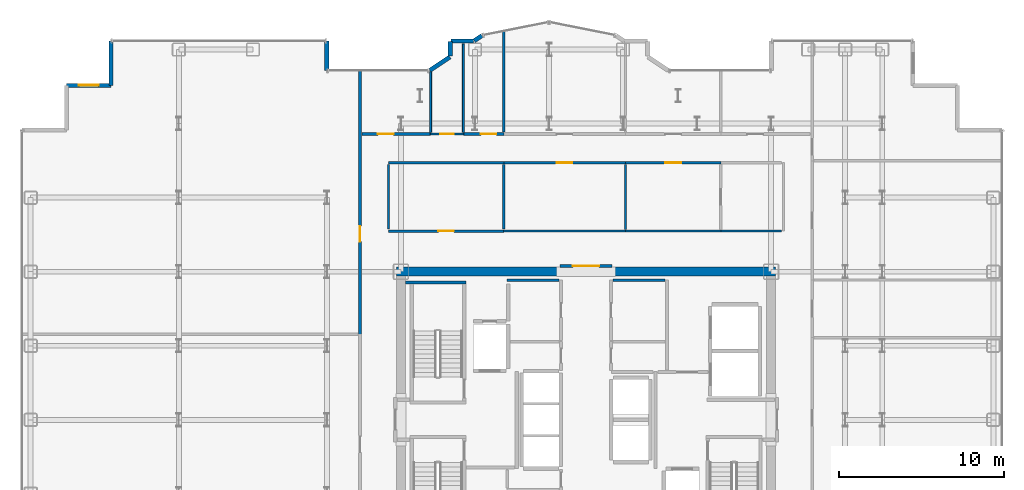
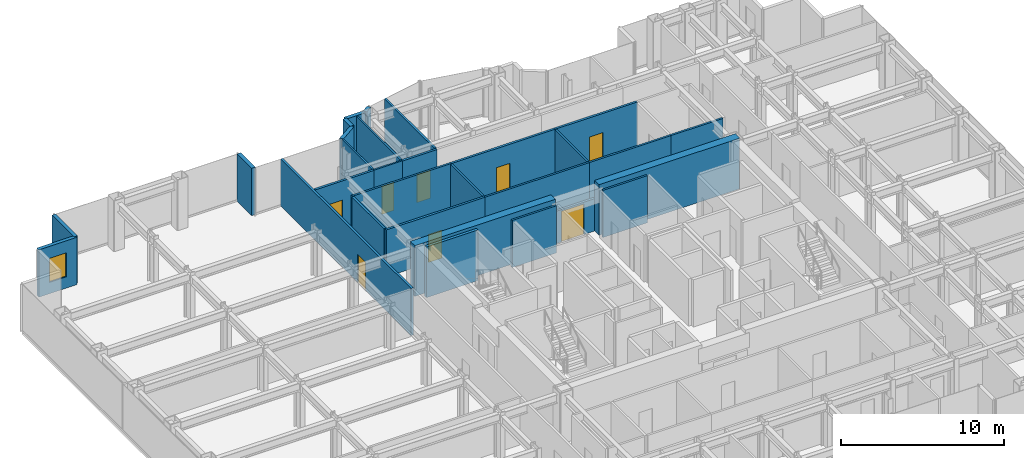
# One storey, part 21 of 23: 30 walls, 8 doors, 1 window, 9 openings.
"""IFC4 building model written with IfcOpenShell, lengths in metres."""

from ifc_helpers import new_model, si_unit, direction, frame, frame_2d, origin, place, context, subcontext, project, spatial, rectangle, extrude, source, transform, mapped, material, layer, layer_set, type_object, element, fill, save


model = new_model("IFC4")

# Units and contexts
model_context = context("Model", 3, precision=1e-05, world=origin(), true_north=direction((0.0, 1.0)))
body_context = subcontext(model_context, "Body", "Model", "MODEL_VIEW")
ifc_project = project(units=[si_unit("LENGTHUNIT", "METRE"), si_unit("AREAUNIT", "SQUARE_METRE"), si_unit("VOLUMEUNIT", "CUBIC_METRE"), si_unit("PLANEANGLEUNIT", "RADIAN"), si_unit("MASSUNIT", "GRAM", prefix="KILO")], contexts=[model_context])

# Site, building, storey
site_placement = place(None, origin())
site = spatial("IfcSite", under=ifc_project, at=site_placement, CompositionType="ELEMENT")
building_placement = place(site_placement, origin())
building = spatial("IfcBuilding", under=site, at=building_placement, Name="Nefas-Gora Pilgrimage Tower", CompositionType="ELEMENT")
storey_placement = place(building_placement, frame((0.0, 0.0, 152.60009765625)))
storey = spatial("IfcBuildingStorey", under=building, at=storey_placement, Name="L37", CompositionType="ELEMENT", Elevation=152.60009765625)

# Walls
ifc_material_1 = material(Name="Concrete C60/75", Category="concrete")
ifc_layer_1 = layer(ifc_material_1, 0.550048828125)
ifc_layer_set_1 = layer_set([ifc_layer_1], Name="Concrete C60/75")
wall_type_1 = type_object("IfcWallType", Name="SW-CORE-550", PredefinedType="SHEAR", material=ifc_layer_set_1)
shared_shape_1 = source(origin(), body_context, "Body", "SweptSolid", [
    extrude(rectangle(XDim=9.974853515625, YDim=0.550048828125, at=frame_2d((4.9873046875, 0.0))), origin(), (0.0, 0.0, 1.0), 3.7998046875),
])
for number, where, z_axis, x_axis, name in (
    (1, (-11.52490234375, 9.0, 0.0), (0.0, 0.0, 1.0), (1.0, 0.0, 0.0), "L37 Core Shear Wall N-West"),
    (2, (1.550048828125, 9.0, 0.0), (0.0, 0.0, 1.0), (1.0, 0.0, 0.0), "L37 Core Shear Wall N-East"),
):
    element("IfcWall", number, at=place(storey_placement, frame(where, z_axis=z_axis, x_axis=x_axis)), inside=storey, type_object=wall_type_1, Name=name, PredefinedType="SHEAR", context=body_context, shape_type="MappedRepresentation", body=[
        mapped(shared_shape_1, transform((0.0, 0.0, 0.0), x_axis=(1.0, 0.0, 0.0), y_axis=(0.0, 1.0, 0.0), z_axis=(0.0, 0.0, 1.0), scale=1.0)),
    ])
ifc_material_2 = material(Name="Precast concrete C40/50", Category="concrete")
ifc_layer_2 = layer(ifc_material_2, 0.260009765625)
ifc_layer_set_2 = layer_set([ifc_layer_2], Name="Precast concrete C40/50")
wall_type_2 = type_object("IfcWallType", Name="EW-PORTAL-260", PredefinedType="SOLIDWALL", material=ifc_layer_set_2)
shared_shape_2 = source(origin(), body_context, "Body", "SweptSolid", [
    extrude(rectangle(XDim=1.800048828125, YDim=0.260009765625, at=frame_2d((0.89990234375, 0.0))), origin(), (0.0, 0.0, 1.0), 3.5498046875),
])
wall_1_placement = place(storey_placement, frame((-15.75, 21.219970703125, 0.0), z_axis=(0.0, 0.0, 1.0), x_axis=(0.0, 1.0, 0.0)))
element("IfcWall", 3, at=wall_1_placement, inside=storey, type_object=wall_type_2, Name="L37 Lobe Shoulder Precast Spandrel Pier 19", PredefinedType="SOLIDWALL", context=body_context, shape_type="MappedRepresentation", body=[
    mapped(shared_shape_2, transform((0.0, 0.0, 0.0), x_axis=(1.0, 0.0, 0.0), y_axis=(0.0, 1.0, 0.0), z_axis=(0.0, 0.0, 1.0), scale=1.0)),
])
ifc_material_3 = material(Name="Precast concrete C45/55", Category="concrete")
ifc_layer_3 = layer(ifc_material_3, 0.239990234375)
ifc_layer_set_3 = layer_set([ifc_layer_3], Name="Precast concrete C45/55")
wall_type_3 = type_object("IfcWallType", Name="EW-SERR-240", PredefinedType="SHEAR", material=ifc_layer_set_3)
shared_shape_3 = source(origin(), body_context, "Body", "SweptSolid", [
    extrude(rectangle(XDim=2.699951171875, YDim=0.239990234375, at=frame_2d((1.35009765625, 0.0))), origin(), (0.0, 0.0, 1.0), 3.5498046875),
])
wall_2_placement = place(storey_placement, frame((-28.8701171875, 23.02001953125, 0.0), z_axis=(0.0, 0.0, 1.0), x_axis=(0.0, -1.0, 0.0)))
element("IfcWall", 4, at=wall_2_placement, inside=storey, type_object=wall_type_3, Name="L37 Serrated Corner Shear Pier Wall 20", PredefinedType="SHEAR", context=body_context, shape_type="MappedRepresentation", body=[
    mapped(shared_shape_3, transform((0.0, 0.0, 0.0), x_axis=(1.0, 0.0, 0.0), y_axis=(0.0, 1.0, 0.0), z_axis=(0.0, 0.0, 1.0), scale=1.0)),
])

# Wall, opening, window
wall_3_placement = place(storey_placement, frame((-28.8701171875, 20.320068359375, 0.0), z_axis=(0.0, 0.0, 1.0), x_axis=(-1.0, 0.0, 0.0)))
wall_3 = element("IfcWall", 5, at=wall_3_placement, inside=storey, type_object=wall_type_3, Name="L37 Serrated Corner Shear Pier Wall 21", PredefinedType="SHEAR", context=body_context, shape_type="MappedRepresentation", body=[
    mapped(shared_shape_3, transform((0.0, 0.0, 0.0), x_axis=(1.0, 0.0, 0.0), y_axis=(0.0, 1.0, 0.0), z_axis=(0.0, 0.0, 1.0), scale=1.0)),
])
opening_1_placement = place(wall_3_placement, frame((0.75, 0.0, 0.85009765625)))
opening_1 = element("IfcOpeningElement", 6, at=opening_1_placement, cuts=wall_3, Name="Opening W-V1", PredefinedType="OPENING", context=body_context, shape_type="SweptSolid", body=[
    extrude(rectangle(XDim=1.199951171875, YDim=1.800048828125, at=frame_2d((0.60009765625, 0.89990234375))), frame((0.0, 0.1298828125, 0.0), z_axis=(0.0, -1.0, 0.0), x_axis=(1.0, 0.0, 0.0)), (0.0, 0.0, 1.0), 0.260009765625),
])
ifc_material_4 = material(Name="Dark ceramic-fritted operable aluminium-glass window", Category="aluminium")
window_type = type_object("IfcWindowType", Name="WIN-VENT-1200x1800", PartitioningType="SINGLE_PANEL", PredefinedType="WINDOW", material=ifc_material_4)
shared_shape_4 = source(origin(), body_context, "Body", "SweptSolid", [
    extrude(rectangle(XDim=1.199951171875, YDim=1.800048828125, at=frame_2d((0.60009765625, 0.89990234375))), frame((0.0, 0.030029296875, 0.0), z_axis=(0.0, -1.0, 0.0), x_axis=(1.0, 0.0, 0.0)), (0.0, 0.0, 1.0), 0.06005859375),
])
window_placement = place(opening_1_placement, origin())
window = element("IfcWindow", 7, at=window_placement, inside=storey, type_object=window_type, Name="L37 Operable Parallel-Outswing Window 21", OverallHeight=1.800048828125, OverallWidth=1.199951171875, PartitioningType="SINGLE_PANEL", PredefinedType="WINDOW", context=body_context, shape_type="MappedRepresentation", body=[
    mapped(shared_shape_4, transform((0.0, 0.0, 0.0), x_axis=(1.0, 0.0, 0.0), y_axis=(0.0, 1.0, 0.0), z_axis=(0.0, 0.0, 1.0), scale=1.0)),
])
fill(opening_1, window)

# Walls
shared_shape_5 = source(origin(), body_context, "Body", "SweptSolid", [
    extrude(rectangle(XDim=1.468994140625, YDim=0.260009765625, at=frame_2d((0.734375, 0.0))), origin(), (0.0, 0.0, 1.0), 3.5498046875),
])
wall_4_placement = place(storey_placement, frame((-8.273193359375, 22.0517578125, 0.0), z_axis=(0.0, 0.0, 1.0), x_axis=(-0.831461760506, -0.555581983884, 0.0)))
element("IfcWall", 8, at=wall_4_placement, inside=storey, type_object=wall_type_2, Name="L37 Lobe Shoulder Precast Spandrel Pier 18", PredefinedType="SOLIDWALL", context=body_context, shape_type="MappedRepresentation", body=[
    mapped(shared_shape_5, transform((0.0, 0.0, 0.0), x_axis=(1.0, 0.0, 0.0), y_axis=(0.0, 1.0, 0.0), z_axis=(0.0, 0.0, 1.0), scale=1.0)),
])
shared_shape_6 = source(origin(), body_context, "Body", "SweptSolid", [
    extrude(rectangle(XDim=0.896728515625, YDim=0.260009765625, at=frame_2d((0.4482421875, 0.0))), origin(), (0.0, 0.0, 1.0), 3.5498046875),
])
wall_5_placement = place(storey_placement, frame((-8.25, 22.991943359375, 0.0), z_axis=(0.0, 0.0, 1.0), x_axis=(0.0, -1.0, 0.0)))
element("IfcWall", 9, at=wall_5_placement, inside=storey, type_object=wall_type_2, Name="L37 Lobe Shoulder Precast Spandrel Pier 17", PredefinedType="SOLIDWALL", context=body_context, shape_type="MappedRepresentation", body=[
    mapped(shared_shape_6, transform((0.0, 0.0, 0.0), x_axis=(1.0, 0.0, 0.0), y_axis=(0.0, 1.0, 0.0), z_axis=(0.0, 0.0, 1.0), scale=1.0)),
])
shared_shape_7 = source(origin(), body_context, "Body", "SweptSolid", [
    extrude(rectangle(XDim=1.369873046875, YDim=0.260009765625, at=frame_2d((0.68505859375, 0.0))), origin(), (0.0, 0.0, 1.0), 3.5498046875),
])
wall_6_placement = place(storey_placement, frame((-6.85205078125, 23.02001953125, 0.0), z_axis=(0.0, 0.0, 1.0), x_axis=(-1.0, 0.0, 0.0)))
element("IfcWall", 10, at=wall_6_placement, inside=storey, type_object=wall_type_2, Name="L37 Lobe Shoulder Precast Spandrel Pier 16", PredefinedType="SOLIDWALL", context=body_context, shape_type="MappedRepresentation", body=[
    mapped(shared_shape_7, transform((0.0, 0.0, 0.0), x_axis=(1.0, 0.0, 0.0), y_axis=(0.0, 1.0, 0.0), z_axis=(0.0, 0.0, 1.0), scale=1.0)),
])
shared_shape_8 = source(origin(), body_context, "Body", "SweptSolid", [
    extrude(rectangle(XDim=0.5654296875, YDim=0.260009765625, at=frame_2d((0.28271484375, 0.0))), origin(), (0.0, 0.0, 1.0), 3.5498046875),
])
wall_7_placement = place(storey_placement, frame((-6.33056640625, 23.349609375, 0.0), z_axis=(0.0, 0.0, 1.0), x_axis=(-0.831651492666, -0.555297933317, 0.0)))
element("IfcWall", 11, at=wall_7_placement, inside=storey, type_object=wall_type_2, Name="L37 Lobe Shoulder Precast Spandrel Pier 15", PredefinedType="SOLIDWALL", context=body_context, shape_type="MappedRepresentation", body=[
    mapped(shared_shape_8, transform((0.0, 0.0, 0.0), x_axis=(1.0, 0.0, 0.0), y_axis=(0.0, 1.0, 0.0), z_axis=(0.0, 0.0, 1.0), scale=1.0)),
])
ifc_material_5 = material(Name="Concrete C45/55", Category="concrete")
ifc_layer_4 = layer(ifc_material_5, 0.199951171875)
ifc_layer_set_4 = layer_set([ifc_layer_4], Name="Concrete C45/55")
wall_type_4 = type_object("IfcWallType", Name="IW-STAIR-200", PredefinedType="SOLIDWALL", material=ifc_layer_set_4)
shared_shape_9 = source(origin(), body_context, "Body", "SweptSolid", [
    extrude(rectangle(XDim=3.679931640625, YDim=0.199951171875, at=frame_2d((1.83984375, 0.0))), origin(), (0.0, 0.0, 1.0), 3.7998046875),
])
wall_8_placement = place(storey_placement, frame((-7.300048828125, 8.35009765625, 0.0), z_axis=(0.0, 0.0, 1.0), x_axis=(-1.0, 0.0, 0.0)))
element("IfcWall", 12, at=wall_8_placement, inside=storey, type_object=wall_type_4, Name="L37 Stairwell Shear Wall ST-01-far", PredefinedType="SOLIDWALL", context=body_context, shape_type="MappedRepresentation", body=[
    mapped(shared_shape_9, transform((0.0, 0.0, 0.0), x_axis=(1.0, 0.0, 0.0), y_axis=(0.0, 1.0, 0.0), z_axis=(0.0, 0.0, 1.0), scale=1.0)),
])

# Wall, opening, door
ifc_material_6 = material(Name="Moisture-resistant fire-rated gypsum partition")
ifc_layer_5 = layer(ifc_material_6, 0.1201171875)
ifc_layer_set_5 = layer_set([ifc_layer_5], Name="Moisture-resistant fire-rated gypsum partition")
wall_type_5 = type_object("IfcWallType", Name="IW-WET-120", PredefinedType="PLUMBINGWALL", material=ifc_layer_set_5)
shared_shape_10 = source(origin(), body_context, "Body", "SweptSolid", [
    extrude(rectangle(XDim=2.02001953125, YDim=0.1201171875, at=frame_2d((1.010009765625, 0.0))), origin(), (0.0, 0.0, 1.0), 3.534912109375),
])
wall_9_placement = place(storey_placement, frame((-9.4599609375, 17.3701171875, 0.0), z_axis=(0.0, 0.0, 1.0), x_axis=(1.0, 0.0, 0.0)))
wall_9 = element("IfcWall", 13, at=wall_9_placement, inside=storey, type_object=wall_type_5, Name="L37 Accessible Unisex WC Partition Wall 29", PredefinedType="PLUMBINGWALL", context=body_context, shape_type="MappedRepresentation", body=[
    mapped(shared_shape_10, transform((0.0, 0.0, 0.0), x_axis=(1.0, 0.0, 0.0), y_axis=(0.0, 1.0, 0.0), z_axis=(0.0, 0.0, 1.0), scale=1.0)),
])
opening_2_placement = place(wall_9_placement, frame((0.5849609375, 0.0, 0.0)))
opening_2 = element("IfcOpeningElement", 14, at=opening_2_placement, cuts=wall_9, Name="Opening ID-BT1", PredefinedType="OPENING", context=body_context, shape_type="SweptSolid", body=[
    extrude(rectangle(XDim=0.85009765625, YDim=2.10009765625, at=frame_2d((0.425048828125, 1.050048828125))), frame((0.0, 0.070068359375, 0.0), z_axis=(0.0, -1.0, 0.0), x_axis=(1.0, 0.0, 0.0)), (0.0, 0.0, 1.0), 0.14013671875),
])
ifc_material_7 = material(Name="Moisture-resistant fire-rated timber door", Category="wood")
door_type_1 = type_object("IfcDoorType", Name="DR-INT-BATH-850", OperationType="NOTDEFINED", PredefinedType="DOOR", material=ifc_material_7)
shared_shape_11 = source(origin(), body_context, "Body", "SweptSolid", [
    extrude(rectangle(XDim=0.85009765625, YDim=2.10009765625, at=frame_2d((0.425048828125, 1.050048828125))), frame((0.0, 0.02490234375, 0.0), z_axis=(0.0, -1.0, 0.0), x_axis=(1.0, 0.0, 0.0)), (0.0, 0.0, 1.0), 0.050048828125),
])
door_1_placement = place(opening_2_placement, origin())
door_1 = element("IfcDoor", 15, at=door_1_placement, inside=storey, type_object=door_type_1, Name="L37 Accessible Unisex WC Door 12", OperationType="SINGLE_SWING_LEFT", OverallHeight=2.10009765625, OverallWidth=0.85009765625, PredefinedType="DOOR", context=body_context, shape_type="MappedRepresentation", body=[
    mapped(shared_shape_11, transform((0.0, 0.0, 0.0), x_axis=(1.0, 0.0, 0.0), y_axis=(0.0, 1.0, 0.0), z_axis=(0.0, 0.0, 1.0), scale=1.0)),
])
fill(opening_2, door_1)

ifc_material_8 = material(Name="Gypsum acoustic stud partition")
ifc_layer_6 = layer(ifc_material_8, 0.159912109375)
ifc_layer_set_6 = layer_set([ifc_layer_6], Name="Gypsum acoustic stud partition")
wall_type_6 = type_object("IfcWallType", Name="IW-CORR-160", PredefinedType="PARTITIONING", material=ifc_layer_set_6)
shared_shape_12 = source(origin(), body_context, "Body", "SweptSolid", [
    extrude(rectangle(XDim=16.044921875, YDim=0.159912109375, at=frame_2d((8.0224609375, 0.0))), origin(), (0.0, 0.0, 1.0), 3.534912109375),
])
wall_10_placement = place(storey_placement, frame((-13.739990234375, 5.195068359375, 0.0), z_axis=(0.0, 0.0, 1.0), x_axis=(0.0, 1.0, 0.0)))
wall_10 = element("IfcWall", 16, at=wall_10_placement, inside=storey, type_object=wall_type_6, Name="L37 Pilgrim Contemplative Lounge Partition Wall 36", PredefinedType="PARTITIONING", context=body_context, shape_type="MappedRepresentation", body=[
    mapped(shared_shape_12, transform((0.0, 0.0, 0.0), x_axis=(1.0, 0.0, 0.0), y_axis=(0.0, 1.0, 0.0), z_axis=(0.0, 0.0, 1.0), scale=1.0)),
])
opening_3_placement = place(wall_10_placement, frame((5.632568359375, 0.0, 0.0)))
opening_3 = element("IfcOpeningElement", 17, at=opening_3_placement, cuts=wall_10, Name="Opening ID-GR1", PredefinedType="OPENING", context=body_context, shape_type="SweptSolid", body=[
    extrude(rectangle(XDim=0.949951171875, YDim=2.10009765625, at=frame_2d((0.47509765625, 1.050048828125))), frame((0.0, 0.08984375, 0.0), z_axis=(0.0, -1.0, 0.0), x_axis=(1.0, 0.0, 0.0)), (0.0, 0.0, 1.0), 0.179931640625),
])
ifc_material_9 = material(Name="Solid core oak fire-rated guest entrance door")
door_type_2 = type_object("IfcDoorType", Name="DR-INT-GUEST-950", OperationType="NOTDEFINED", PredefinedType="DOOR", material=ifc_material_9)
shared_shape_13 = source(origin(), body_context, "Body", "SweptSolid", [
    extrude(rectangle(XDim=0.949951171875, YDim=2.10009765625, at=frame_2d((0.47509765625, 1.050048828125))), frame((0.0, 0.02490234375, 0.0), z_axis=(0.0, -1.0, 0.0), x_axis=(1.0, 0.0, 0.0)), (0.0, 0.0, 1.0), 0.050048828125),
])
door_2_placement = place(opening_3_placement, origin())
door_2 = element("IfcDoor", 18, at=door_2_placement, inside=storey, type_object=door_type_2, Name="L37 Pilgrim Contemplative Lounge Door 15", OperationType="SINGLE_SWING_RIGHT", OverallHeight=2.10009765625, OverallWidth=0.949951171875, PredefinedType="DOOR", context=body_context, shape_type="MappedRepresentation", body=[
    mapped(shared_shape_13, transform((0.0, 0.0, 0.0), x_axis=(1.0, 0.0, 0.0), y_axis=(0.0, 1.0, 0.0), z_axis=(0.0, 0.0, 1.0), scale=1.0)),
])
fill(opening_3, door_2)

shared_shape_14 = source(origin(), body_context, "Body", "SweptSolid", [
    extrude(rectangle(XDim=5.81005859375, YDim=0.159912109375, at=frame_2d((2.905029296875, 0.0))), origin(), (0.0, 0.0, 1.0), 3.534912109375),
])
wall_11_placement = place(storey_placement, frame((2.39501953125, 15.6298828125, 0.0), z_axis=(0.0, 0.0, 1.0), x_axis=(1.0, 0.0, 0.0)))
wall_11 = element("IfcWall", 19, at=wall_11_placement, inside=storey, type_object=wall_type_6, Name="L37 Pilgrim Contemplative Lounge Partition Wall 64", PredefinedType="PARTITIONING", context=body_context, shape_type="MappedRepresentation", body=[
    mapped(shared_shape_14, transform((0.0, 0.0, 0.0), x_axis=(1.0, 0.0, 0.0), y_axis=(0.0, 1.0, 0.0), z_axis=(0.0, 0.0, 1.0), scale=1.0)),
])
opening_4_placement = place(wall_11_placement, frame((2.429931640625, 0.0, 0.0)))
opening_4 = element("IfcOpeningElement", 20, at=opening_4_placement, cuts=wall_11, Name="Opening ID-GR1", PredefinedType="OPENING", context=body_context, shape_type="SweptSolid", body=[
    extrude(rectangle(XDim=0.949951171875, YDim=2.10009765625, at=frame_2d((0.47509765625, 1.050048828125))), frame((0.0, 0.08984375, 0.0), z_axis=(0.0, -1.0, 0.0), x_axis=(1.0, 0.0, 0.0)), (0.0, 0.0, 1.0), 0.179931640625),
])
door_3_placement = place(opening_4_placement, origin())
door_3 = element("IfcDoor", 21, at=door_3_placement, inside=storey, type_object=door_type_2, Name="L37 Pilgrim Contemplative Lounge Door 29", OperationType="SINGLE_SWING_RIGHT", OverallHeight=2.10009765625, OverallWidth=0.949951171875, PredefinedType="DOOR", context=body_context, shape_type="MappedRepresentation", body=[
    mapped(shared_shape_13, transform((0.0, 0.0, 0.0), x_axis=(1.0, 0.0, 0.0), y_axis=(0.0, 1.0, 0.0), z_axis=(0.0, 0.0, 1.0), scale=1.0)),
])
fill(opening_4, door_3)

# Walls
ifc_material_10 = material(Name="Gypsum twin-stud partition")
ifc_layer_7 = layer(ifc_material_10, 0.139892578125)
ifc_layer_set_7 = layer_set([ifc_layer_7], Name="Gypsum twin-stud partition")
wall_type_7 = type_object("IfcWallType", Name="IW-UNIT-140", PredefinedType="PARTITIONING", material=ifc_layer_set_7)
shared_shape_15 = source(origin(), body_context, "Body", "SweptSolid", [
    extrude(rectangle(XDim=3.150146484375, YDim=0.139892578125, at=frame_2d((1.5751953125, 0.0))), origin(), (0.0, 0.0, 1.0), 3.534912109375),
])
for number, where, z_axis, x_axis, name in (
    (22, (-4.7900390625, 8.47998046875, 0.0), (0.0, 0.0, 1.0), (1.0, 0.0, 0.0), "L37 Archival Supply Store Partition Wall 21"),
    (23, (1.639892578125, 8.47998046875, 0.0), (0.0, 0.0, 1.0), (1.0, 0.0, 0.0), "L37 Amenity Supply Store Partition Wall 25"),
):
    element("IfcWall", number, at=place(storey_placement, frame(where, z_axis=z_axis, x_axis=x_axis)), inside=storey, type_object=wall_type_7, Name=name, PredefinedType="PARTITIONING", context=body_context, shape_type="MappedRepresentation", body=[
        mapped(shared_shape_15, transform((0.0, 0.0, 0.0), x_axis=(1.0, 0.0, 0.0), y_axis=(0.0, 1.0, 0.0), z_axis=(0.0, 0.0, 1.0), scale=1.0)),
    ])

# Wall, opening, door
shared_shape_16 = source(origin(), body_context, "Body", "SweptSolid", [
    extrude(rectangle(XDim=3.16015625, YDim=0.159912109375, at=frame_2d((1.580078125, 0.0))), origin(), (0.0, 0.0, 1.0), 2.4248046875),
])
wall_12_placement = place(storey_placement, frame((-1.580078125, 9.35009765625, 0.0), z_axis=(0.0, 0.0, 1.0), x_axis=(1.0, 0.0, 0.0)))
wall_12 = element("IfcWall", 24, at=wall_12_placement, inside=storey, type_object=wall_type_6, Name="L37 Central Lift Lobby North Portal Wall 15", PredefinedType="PARTITIONING", context=body_context, shape_type="MappedRepresentation", body=[
    mapped(shared_shape_16, transform((0.0, 0.0, 0.0), x_axis=(1.0, 0.0, 0.0), y_axis=(0.0, 1.0, 0.0), z_axis=(0.0, 0.0, 1.0), scale=1.0)),
])
opening_5_placement = place(wall_12_placement, frame((0.780029296875, 0.0, 0.0)))
opening_5 = element("IfcOpeningElement", 25, at=opening_5_placement, cuts=wall_12, Name="Opening ID-HL1", PredefinedType="OPENING", context=body_context, shape_type="SweptSolid", body=[
    extrude(rectangle(XDim=1.60009765625, YDim=2.300048828125, at=frame_2d((0.800048828125, 1.14990234375))), frame((0.0, 0.08984375, 0.0), z_axis=(0.0, -1.0, 0.0), x_axis=(1.0, 0.0, 0.0)), (0.0, 0.0, 1.0), 0.179931640625),
])
ifc_material_11 = material(Name="Double acoustic timber assembly hall door", Category="wood")
door_type_3 = type_object("IfcDoorType", Name="DR-INT-HALL-1600", OperationType="DOUBLE_DOOR_SINGLE_SWING", PredefinedType="DOOR", material=ifc_material_11)
shared_shape_17 = source(origin(), body_context, "Body", "SweptSolid", [
    extrude(rectangle(XDim=1.60009765625, YDim=2.300048828125, at=frame_2d((0.800048828125, 1.14990234375))), frame((0.0, 0.02490234375, 0.0), z_axis=(0.0, -1.0, 0.0), x_axis=(1.0, 0.0, 0.0)), (0.0, 0.0, 1.0), 0.050048828125),
])
door_4_placement = place(opening_5_placement, origin())
door_4 = element("IfcDoor", 26, at=door_4_placement, inside=storey, type_object=door_type_3, Name="L37 Central Lift Lobby North Portal Door 5", OperationType="DOUBLE_DOOR_SINGLE_SWING", OverallHeight=2.300048828125, OverallWidth=1.60009765625, PredefinedType="DOOR", context=body_context, shape_type="MappedRepresentation", body=[
    mapped(shared_shape_17, transform((0.0, 0.0, 0.0), x_axis=(1.0, 0.0, 0.0), y_axis=(0.0, 1.0, 0.0), z_axis=(0.0, 0.0, 1.0), scale=1.0)),
])
fill(opening_5, door_4)

# Walls
shared_shape_18 = source(origin(), body_context, "Body", "SweptSolid", [
    extrude(rectangle(XDim=5.380126953125, YDim=0.1201171875, at=frame_2d((2.68994140625, 0.0))), origin(), (0.0, 0.0, 1.0), 3.534912109375),
])
wall_13_placement = place(storey_placement, frame((-7.449951171875, 17.469970703125, 0.0), z_axis=(0.0, 0.0, 1.0), x_axis=(0.0, 1.0, 0.0)))
element("IfcWall", 27, at=wall_13_placement, inside=storey, type_object=wall_type_5, Name="L37 Accessible Unisex WC Partition Wall 30", PredefinedType="PLUMBINGWALL", context=body_context, shape_type="MappedRepresentation", body=[
    mapped(shared_shape_18, transform((0.0, 0.0, 0.0), x_axis=(1.0, 0.0, 0.0), y_axis=(0.0, 1.0, 0.0), z_axis=(0.0, 0.0, 1.0), scale=1.0)),
])
shared_shape_19 = source(origin(), body_context, "Body", "SweptSolid", [
    extrude(rectangle(XDim=3.686767578125, YDim=0.1201171875, at=frame_2d((1.84326171875, 0.0))), origin(), (0.0, 0.0, 1.0), 3.534912109375),
])
wall_14_placement = place(storey_placement, frame((-9.449951171875, 17.469970703125, 0.0), z_axis=(0.0, 0.0, 1.0), x_axis=(0.0, 1.0, 0.0)))
element("IfcWall", 28, at=wall_14_placement, inside=storey, type_object=wall_type_5, Name="L37 Accessible Unisex WC Partition Wall 31", PredefinedType="PLUMBINGWALL", context=body_context, shape_type="MappedRepresentation", body=[
    mapped(shared_shape_19, transform((0.0, 0.0, 0.0), x_axis=(1.0, 0.0, 0.0), y_axis=(0.0, 1.0, 0.0), z_axis=(0.0, 0.0, 1.0), scale=1.0)),
])

# Wall, opening, door
shared_shape_20 = source(origin(), body_context, "Body", "SweptSolid", [
    extrude(rectangle(XDim=7.014892578125, YDim=0.159912109375, at=frame_2d((3.50732421875, 0.0))), origin(), (0.0, 0.0, 1.0), 3.534912109375),
])
wall_15_placement = place(storey_placement, frame((-12.010009765625, 11.469970703125, 0.0), z_axis=(0.0, 0.0, 1.0), x_axis=(1.0, 0.0, 0.0)))
wall_15 = element("IfcWall", 29, at=wall_15_placement, inside=storey, type_object=wall_type_6, Name="L37 Pilgrim Contemplative Lounge Partition Wall 50", PredefinedType="PARTITIONING", context=body_context, shape_type="MappedRepresentation", body=[
    mapped(shared_shape_20, transform((0.0, 0.0, 0.0), x_axis=(1.0, 0.0, 0.0), y_axis=(0.0, 1.0, 0.0), z_axis=(0.0, 0.0, 1.0), scale=1.0)),
])
opening_6_placement = place(wall_15_placement, frame((3.032470703125, 0.0, 0.0)))
opening_6 = element("IfcOpeningElement", 30, at=opening_6_placement, cuts=wall_15, Name="Opening ID-GR1", PredefinedType="OPENING", context=body_context, shape_type="SweptSolid", body=[
    extrude(rectangle(XDim=0.949951171875, YDim=2.10009765625, at=frame_2d((0.47509765625, 1.050048828125))), frame((0.0, 0.08984375, 0.0), z_axis=(0.0, -1.0, 0.0), x_axis=(1.0, 0.0, 0.0)), (0.0, 0.0, 1.0), 0.179931640625),
])
door_5_placement = place(opening_6_placement, origin())
door_5 = element("IfcDoor", 31, at=door_5_placement, inside=storey, type_object=door_type_2, Name="L37 Pilgrim Contemplative Lounge Door 23", OperationType="SINGLE_SWING_RIGHT", OverallHeight=2.10009765625, OverallWidth=0.949951171875, PredefinedType="DOOR", context=body_context, shape_type="MappedRepresentation", body=[
    mapped(shared_shape_13, transform((0.0, 0.0, 0.0), x_axis=(1.0, 0.0, 0.0), y_axis=(0.0, 1.0, 0.0), z_axis=(0.0, 0.0, 1.0), scale=1.0)),
])
fill(opening_6, door_5)

# Walls
shared_shape_21 = source(origin(), body_context, "Body", "SweptSolid", [
    extrude(rectangle(XDim=7.014892578125, YDim=0.139892578125, at=frame_2d((3.50732421875, 0.0))), origin(), (0.0, 0.0, 1.0), 3.534912109375),
])
wall_16_placement = place(storey_placement, frame((-12.010009765625, 15.6298828125, 0.0), z_axis=(0.0, 0.0, 1.0), x_axis=(1.0, 0.0, 0.0)))
element("IfcWall", 32, at=wall_16_placement, inside=storey, type_object=wall_type_7, Name="L37 Pilgrim Contemplative Lounge Partition Wall 51", PredefinedType="PARTITIONING", context=body_context, shape_type="MappedRepresentation", body=[
    mapped(shared_shape_21, transform((0.0, 0.0, 0.0), x_axis=(1.0, 0.0, 0.0), y_axis=(0.0, 1.0, 0.0), z_axis=(0.0, 0.0, 1.0), scale=1.0)),
])
shared_shape_22 = source(origin(), body_context, "Body", "SweptSolid", [
    extrude(rectangle(XDim=3.929931640625, YDim=0.139892578125, at=frame_2d((1.96484375, 0.0))), origin(), (0.0, 0.0, 1.0), 3.534912109375),
])
for number, where, z_axis, x_axis, name in (
    (33, (-12.0, 11.590087890625, 0.0), (0.0, 0.0, 1.0), (0.0, 1.0, 0.0), "L37 Pilgrim Contemplative Lounge Partition Wall 52"),
    (34, (-5.0048828125, 11.590087890625, 0.0), (0.0, 0.0, 1.0), (0.0, 1.0, 0.0), "L37 Pilgrim Contemplative Lounge Partition Wall 53"),
    (35, (2.39501953125, 11.580078125, 0.0), (0.0, 0.0, 1.0), (0.0, 1.0, 0.0), "L37 Pilgrim Contemplative Lounge Partition Wall 61"),
):
    element("IfcWall", number, at=place(storey_placement, frame(where, z_axis=z_axis, x_axis=x_axis)), inside=storey, type_object=wall_type_7, Name=name, PredefinedType="PARTITIONING", context=body_context, shape_type="MappedRepresentation", body=[
        mapped(shared_shape_22, transform((0.0, 0.0, 0.0), x_axis=(1.0, 0.0, 0.0), y_axis=(0.0, 1.0, 0.0), z_axis=(0.0, 0.0, 1.0), scale=1.0)),
    ])

# Wall, opening, door
shared_shape_23 = source(origin(), body_context, "Body", "SweptSolid", [
    extrude(rectangle(XDim=2.44482421875, YDim=0.159912109375, at=frame_2d((1.222412109375, 0.0))), origin(), (0.0, 0.0, 1.0), 3.534912109375),
])
wall_17_placement = place(storey_placement, frame((-7.43994140625, 17.3701171875, 0.0), z_axis=(0.0, 0.0, 1.0), x_axis=(1.0, 0.0, 0.0)))
wall_17 = element("IfcWall", 36, at=wall_17_placement, inside=storey, type_object=wall_type_6, Name="L37 Pilgrim Contemplative Lounge Partition Wall 54", PredefinedType="PARTITIONING", context=body_context, shape_type="MappedRepresentation", body=[
    mapped(shared_shape_23, transform((0.0, 0.0, 0.0), x_axis=(1.0, 0.0, 0.0), y_axis=(0.0, 1.0, 0.0), z_axis=(0.0, 0.0, 1.0), scale=1.0)),
])
opening_7_placement = place(wall_17_placement, frame((1.046630859375, 0.0, 0.0)))
opening_7 = element("IfcOpeningElement", 37, at=opening_7_placement, cuts=wall_17, Name="Opening ID-GR1", PredefinedType="OPENING", context=body_context, shape_type="SweptSolid", body=[
    extrude(rectangle(XDim=0.949951171875, YDim=2.10009765625, at=frame_2d((0.47509765625, 1.050048828125))), frame((0.0, 0.08984375, 0.0), z_axis=(0.0, -1.0, 0.0), x_axis=(1.0, 0.0, 0.0)), (0.0, 0.0, 1.0), 0.179931640625),
])
door_6_placement = place(opening_7_placement, origin())
door_6 = element("IfcDoor", 38, at=door_6_placement, inside=storey, type_object=door_type_2, Name="L37 Pilgrim Contemplative Lounge Door 24", OperationType="SINGLE_SWING_LEFT", OverallHeight=2.10009765625, OverallWidth=0.949951171875, PredefinedType="DOOR", context=body_context, shape_type="MappedRepresentation", body=[
    mapped(shared_shape_13, transform((0.0, 0.0, 0.0), x_axis=(1.0, 0.0, 0.0), y_axis=(0.0, 1.0, 0.0), z_axis=(0.0, 0.0, 1.0), scale=1.0)),
])
fill(opening_7, door_6)

# Wall
shared_shape_24 = source(origin(), body_context, "Body", "SweptSolid", [
    extrude(rectangle(XDim=6.15673828125, YDim=0.139892578125, at=frame_2d((3.078369140625, 0.0))), origin(), (0.0, 0.0, 1.0), 3.534912109375),
])
wall_18_placement = place(storey_placement, frame((-5.0048828125, 17.489990234375, 0.0), z_axis=(0.0, 0.0, 1.0), x_axis=(0.0, 1.0, 0.0)))
element("IfcWall", 39, at=wall_18_placement, inside=storey, type_object=wall_type_7, Name="L37 Pilgrim Contemplative Lounge Partition Wall 55", PredefinedType="PARTITIONING", context=body_context, shape_type="MappedRepresentation", body=[
    mapped(shared_shape_24, transform((0.0, 0.0, 0.0), x_axis=(1.0, 0.0, 0.0), y_axis=(0.0, 1.0, 0.0), z_axis=(0.0, 0.0, 1.0), scale=1.0)),
])

# Wall, opening, door
shared_shape_25 = source(origin(), body_context, "Body", "SweptSolid", [
    extrude(rectangle(XDim=4.16015625, YDim=0.159912109375, at=frame_2d((2.080078125, 0.0))), origin(), (0.0, 0.0, 1.0), 3.534912109375),
])
wall_19_placement = place(storey_placement, frame((-13.6201171875, 17.3701171875, 0.0), z_axis=(0.0, 0.0, 1.0), x_axis=(1.0, 0.0, 0.0)))
wall_19 = element("IfcWall", 40, at=wall_19_placement, inside=storey, type_object=wall_type_6, Name="L37 Pilgrim Contemplative Lounge Partition Wall 56", PredefinedType="PARTITIONING", context=body_context, shape_type="MappedRepresentation", body=[
    mapped(shared_shape_25, transform((0.0, 0.0, 0.0), x_axis=(1.0, 0.0, 0.0), y_axis=(0.0, 1.0, 0.0), z_axis=(0.0, 0.0, 1.0), scale=1.0)),
])
opening_8_placement = place(wall_19_placement, frame((0.968994140625, 0.0, 0.0)))
opening_8 = element("IfcOpeningElement", 41, at=opening_8_placement, cuts=wall_19, Name="Opening ID-GR1", PredefinedType="OPENING", context=body_context, shape_type="SweptSolid", body=[
    extrude(rectangle(XDim=0.949951171875, YDim=2.10009765625, at=frame_2d((0.47509765625, 1.050048828125))), frame((0.0, 0.08984375, 0.0), z_axis=(0.0, -1.0, 0.0), x_axis=(1.0, 0.0, 0.0)), (0.0, 0.0, 1.0), 0.179931640625),
])
door_7_placement = place(opening_8_placement, origin())
door_7 = element("IfcDoor", 42, at=door_7_placement, inside=storey, type_object=door_type_2, Name="L37 Pilgrim Contemplative Lounge Door 25", OperationType="SINGLE_SWING_RIGHT", OverallHeight=2.10009765625, OverallWidth=0.949951171875, PredefinedType="DOOR", context=body_context, shape_type="MappedRepresentation", body=[
    mapped(shared_shape_13, transform((0.0, 0.0, 0.0), x_axis=(1.0, 0.0, 0.0), y_axis=(0.0, 1.0, 0.0), z_axis=(0.0, 0.0, 1.0), scale=1.0)),
])
fill(opening_8, door_7)

shared_shape_26 = source(origin(), body_context, "Body", "SweptSolid", [
    extrude(rectangle(XDim=7.409912109375, YDim=0.159912109375, at=frame_2d((3.705078125, 0.0))), origin(), (0.0, 0.0, 1.0), 3.534912109375),
])
wall_20_placement = place(storey_placement, frame((-5.0048828125, 15.6298828125, 0.0), z_axis=(0.0, 0.0, 1.0), x_axis=(1.0, 0.0, 0.0)))
wall_20 = element("IfcWall", 43, at=wall_20_placement, inside=storey, type_object=wall_type_6, Name="L37 Pilgrim Contemplative Lounge Partition Wall 59", PredefinedType="PARTITIONING", context=body_context, shape_type="MappedRepresentation", body=[
    mapped(shared_shape_26, transform((0.0, 0.0, 0.0), x_axis=(1.0, 0.0, 0.0), y_axis=(0.0, 1.0, 0.0), z_axis=(0.0, 0.0, 1.0), scale=1.0)),
])
opening_9_placement = place(wall_20_placement, frame((3.22998046875, 0.0, 0.0)))
opening_9 = element("IfcOpeningElement", 44, at=opening_9_placement, cuts=wall_20, Name="Opening ID-GR1", PredefinedType="OPENING", context=body_context, shape_type="SweptSolid", body=[
    extrude(rectangle(XDim=0.949951171875, YDim=2.10009765625, at=frame_2d((0.47509765625, 1.050048828125))), frame((0.0, 0.08984375, 0.0), z_axis=(0.0, -1.0, 0.0), x_axis=(1.0, 0.0, 0.0)), (0.0, 0.0, 1.0), 0.179931640625),
])
door_8_placement = place(opening_9_placement, origin())
door_8 = element("IfcDoor", 45, at=door_8_placement, inside=storey, type_object=door_type_2, Name="L37 Pilgrim Contemplative Lounge Door 27", OperationType="SINGLE_SWING_RIGHT", OverallHeight=2.10009765625, OverallWidth=0.949951171875, PredefinedType="DOOR", context=body_context, shape_type="MappedRepresentation", body=[
    mapped(shared_shape_13, transform((0.0, 0.0, 0.0), x_axis=(1.0, 0.0, 0.0), y_axis=(0.0, 1.0, 0.0), z_axis=(0.0, 0.0, 1.0), scale=1.0)),
])
fill(opening_9, door_8)

# Walls
shared_shape_27 = source(origin(), body_context, "Body", "SweptSolid", [
    extrude(rectangle(XDim=7.409912109375, YDim=0.139892578125, at=frame_2d((3.705078125, 0.0))), origin(), (0.0, 0.0, 1.0), 3.534912109375),
])
wall_21_placement = place(storey_placement, frame((-5.0048828125, 11.469970703125, 0.0), z_axis=(0.0, 0.0, 1.0), x_axis=(1.0, 0.0, 0.0)))
element("IfcWall", 46, at=wall_21_placement, inside=storey, type_object=wall_type_7, Name="L37 Pilgrim Contemplative Lounge Partition Wall 60", PredefinedType="PARTITIONING", context=body_context, shape_type="MappedRepresentation", body=[
    mapped(shared_shape_27, transform((0.0, 0.0, 0.0), x_axis=(1.0, 0.0, 0.0), y_axis=(0.0, 1.0, 0.0), z_axis=(0.0, 0.0, 1.0), scale=1.0)),
])
shared_shape_28 = source(origin(), body_context, "Body", "SweptSolid", [
    extrude(rectangle(XDim=5.81005859375, YDim=0.139892578125, at=frame_2d((2.905029296875, 0.0))), origin(), (0.0, 0.0, 1.0), 3.534912109375),
])
wall_22_placement = place(storey_placement, frame((2.39501953125, 11.469970703125, 0.0), z_axis=(0.0, 0.0, 1.0), x_axis=(1.0, 0.0, 0.0)))
element("IfcWall", 47, at=wall_22_placement, inside=storey, type_object=wall_type_7, Name="L37 Pilgrim Contemplative Lounge Partition Wall 65", PredefinedType="PARTITIONING", context=body_context, shape_type="MappedRepresentation", body=[
    mapped(shared_shape_28, transform((0.0, 0.0, 0.0), x_axis=(1.0, 0.0, 0.0), y_axis=(0.0, 1.0, 0.0), z_axis=(0.0, 0.0, 1.0), scale=1.0)),
])
shared_shape_29 = source(origin(), body_context, "Body", "SweptSolid", [
    extrude(rectangle(XDim=3.69482421875, YDim=0.139892578125, at=frame_2d((1.847412109375, 0.0))), origin(), (0.0, 0.0, 1.0), 3.534912109375),
])
wall_23_placement = place(storey_placement, frame((8.195068359375, 11.469970703125, 0.0), z_axis=(0.0, 0.0, 1.0), x_axis=(1.0, 0.0, 0.0)))
element("IfcWall", 48, at=wall_23_placement, inside=storey, type_object=wall_type_7, Name="L37 Pilgrim Contemplative Lounge Partition Wall 70", PredefinedType="PARTITIONING", context=body_context, shape_type="MappedRepresentation", body=[
    mapped(shared_shape_29, transform((0.0, 0.0, 0.0), x_axis=(1.0, 0.0, 0.0), y_axis=(0.0, 1.0, 0.0), z_axis=(0.0, 0.0, 1.0), scale=1.0)),
])

save(model, "model.ifc")
